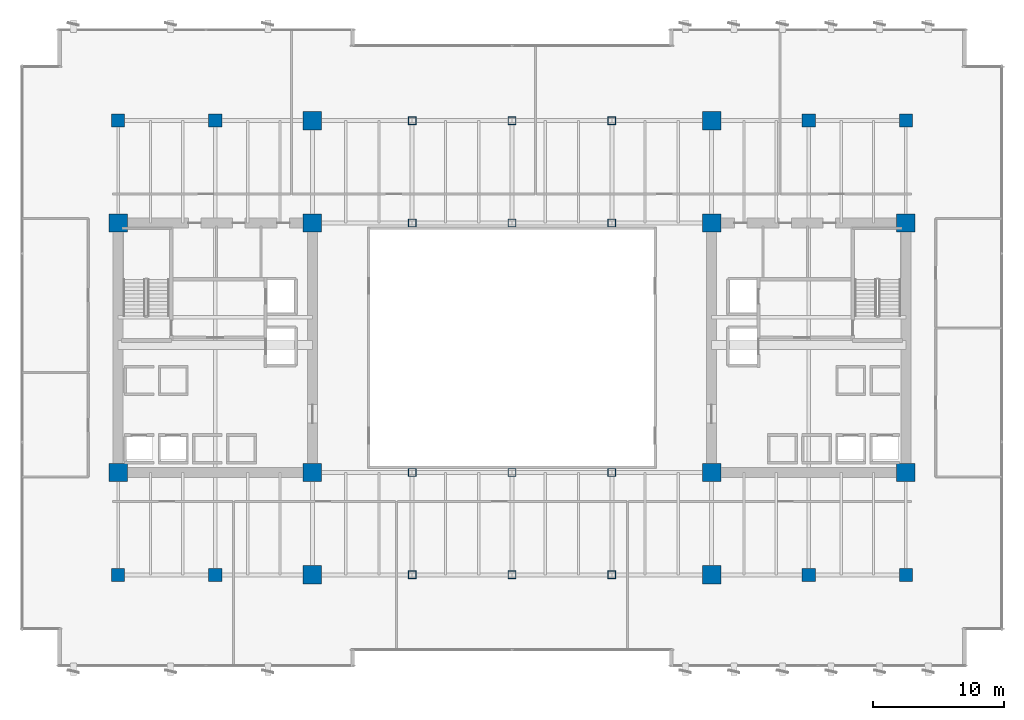
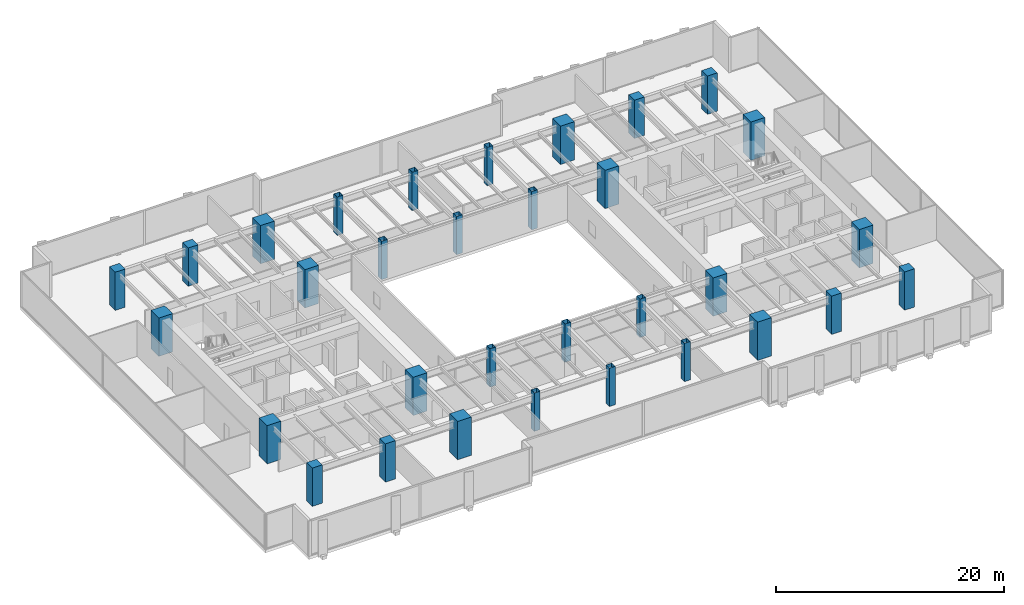
# One storey, part 1 of 36: 32 columns.
"""IFC4 building model written with IfcOpenShell, lengths in metres."""

from ifc_helpers import new_model, si_unit, direction, frame, origin, origin_2d, place, context, subcontext, project, spatial, rectangle, hollow_rectangle, extrude, source, transform, mapped, material, material_profile, profile_set, type_object, type_shapes, element, save


model = new_model("IFC4")

# Units and contexts
model_context = context("Model", 3, precision=1e-05, world=origin(), true_north=direction((0.0, 1.0)))
body_context = subcontext(model_context, "Body", "Model", "MODEL_VIEW")
ifc_project = project(units=[si_unit("LENGTHUNIT", "METRE"), si_unit("AREAUNIT", "SQUARE_METRE"), si_unit("VOLUMEUNIT", "CUBIC_METRE"), si_unit("PLANEANGLEUNIT", "RADIAN"), si_unit("MASSUNIT", "GRAM", prefix="KILO")], contexts=[model_context])

# Site, building, storey
site_placement = place(None, origin())
site = spatial("IfcSite", under=ifc_project, at=site_placement, CompositionType="ELEMENT")
building_placement = place(site_placement, origin())
building = spatial("IfcBuilding", under=site, at=building_placement, Name="Haelvirn Gate Laboratories", CompositionType="ELEMENT")
storey_placement = place(building_placement, frame((0.0, 0.0, 29.300048828125)))
storey = spatial("IfcBuildingStorey", under=building, at=storey_placement, Name="L07", CompositionType="ELEMENT", Elevation=29.300048828125)

# Columns
ifc_material_1 = material(Name="Concrete C60/75", Category="concrete")
ifc_material_profile_1 = material_profile(ifc_material_1, rectangle(XDim=1.0, YDim=1.0, at=origin_2d()), Name="RC-1000x1000")
ifc_profile_set_1 = profile_set([ifc_material_profile_1], Name="Concrete C60/75")
column_type_1 = type_object("IfcColumnType", Name="COL-RC-1000", PredefinedType="COLUMN", material=ifc_profile_set_1)
shared_shape_1 = source(origin(), body_context, "Body", "SweptSolid", [
    extrude(rectangle(XDim=1.0, YDim=1.0, at=origin_2d()), origin(), (0.0, 0.0, 1.0), 4.099853515625),
])
type_shapes(column_type_1, [shared_shape_1])
for number, where, z_axis, x_axis, name in (
    (1, (14.800048828125, 7.0, 0.0), (0.0, 0.0, 1.0), (1.0, 0.0, 0.0), "L07 Column 3B"),
    (2, (14.800048828125, 41.60009765625, 0.0), (0.0, 0.0, 1.0), (1.0, 0.0, 0.0), "L07 Column 3G"),
    (3, (60.0, 7.0, 0.0), (0.0, 0.0, 1.0), (1.0, 0.0, 0.0), "L07 Column 9B"),
    (4, (60.0, 41.60009765625, 0.0), (0.0, 0.0, 1.0), (1.0, 0.0, 0.0), "L07 Column 9G"),
    (5, (7.39990234375, 7.0, 0.0), (0.0, 0.0, 1.0), (1.0, 0.0, 0.0), "L07 Column 2B"),
    (6, (7.39990234375, 41.60009765625, 0.0), (0.0, 0.0, 1.0), (1.0, 0.0, 0.0), "L07 Column 2G"),
    (7, (67.39990234375, 7.0, 0.0), (0.0, 0.0, 1.0), (1.0, 0.0, 0.0), "L07 Column 10B"),
    (8, (67.39990234375, 41.60009765625, 0.0), (0.0, 0.0, 1.0), (1.0, 0.0, 0.0), "L07 Column 10G"),
):
    element("IfcColumn", number, at=place(storey_placement, frame(where, z_axis=z_axis, x_axis=x_axis)), inside=storey, type_object=column_type_1, Name=name, PredefinedType="COLUMN", context=body_context, shape_type="MappedRepresentation", body=[
        mapped(shared_shape_1, transform((0.0, 0.0, 0.0), scale=1.0)),
    ])
ifc_material_2 = material(Name="Concrete C70/85", Category="concrete")
ifc_material_profile_2 = material_profile(ifc_material_2, rectangle(XDim=1.39990234375, YDim=1.39990234375, at=origin_2d()), Name="SRC-1400x1400")
ifc_profile_set_2 = profile_set([ifc_material_profile_2], Name="Concrete C70/85")
column_type_2 = type_object("IfcColumnType", Name="COL-SRC-1400", PredefinedType="COLUMN", material=ifc_profile_set_2)
shared_shape_2 = source(origin(), body_context, "Body", "SweptSolid", [
    extrude(rectangle(XDim=1.39990234375, YDim=1.39990234375, at=origin_2d()), origin(), (0.0, 0.0, 1.0), 4.099853515625),
])
type_shapes(column_type_2, [shared_shape_2])
for number, where, z_axis, x_axis, name in (
    (9, (22.199951171875, 7.0, 0.0), (0.0, 0.0, 1.0), (1.0, 0.0, 0.0), "L07 Column 4B"),
    (10, (7.39990234375, 14.800048828125, 0.0), (0.0, 0.0, 1.0), (1.0, 0.0, 0.0), "L07 Column 2C"),
    (11, (22.199951171875, 14.800048828125, 0.0), (0.0, 0.0, 1.0), (1.0, 0.0, 0.0), "L07 Column 4C"),
    (12, (7.39990234375, 33.800048828125, 0.0), (0.0, 0.0, 1.0), (1.0, 0.0, 0.0), "L07 Column 2F"),
    (13, (22.199951171875, 33.800048828125, 0.0), (0.0, 0.0, 1.0), (1.0, 0.0, 0.0), "L07 Column 4F"),
    (14, (22.199951171875, 41.60009765625, 0.0), (0.0, 0.0, 1.0), (1.0, 0.0, 0.0), "L07 Column 4G"),
    (15, (52.60009765625, 7.0, 0.0), (0.0, 0.0, 1.0), (1.0, 0.0, 0.0), "L07 Column 8B"),
    (16, (52.60009765625, 14.800048828125, 0.0), (0.0, 0.0, 1.0), (1.0, 0.0, 0.0), "L07 Column 8C"),
    (17, (67.39990234375, 14.800048828125, 0.0), (0.0, 0.0, 1.0), (1.0, 0.0, 0.0), "L07 Column 10C"),
    (18, (52.60009765625, 33.800048828125, 0.0), (0.0, 0.0, 1.0), (1.0, 0.0, 0.0), "L07 Column 8F"),
    (19, (67.39990234375, 33.800048828125, 0.0), (0.0, 0.0, 1.0), (1.0, 0.0, 0.0), "L07 Column 10F"),
    (20, (52.60009765625, 41.60009765625, 0.0), (0.0, 0.0, 1.0), (1.0, 0.0, 0.0), "L07 Column 8G"),
):
    element("IfcColumn", number, at=place(storey_placement, frame(where, z_axis=z_axis, x_axis=x_axis)), inside=storey, type_object=column_type_2, Name=name, PredefinedType="COLUMN", context=body_context, shape_type="MappedRepresentation", body=[
        mapped(shared_shape_2, transform((0.0, 0.0, 0.0), scale=1.0)),
    ])
ifc_material_3 = material(Name="Steel SM420", Category="steel")
ifc_material_profile_3 = material_profile(ifc_material_3, hollow_rectangle(XDim=0.60009765625, YDim=0.60009765625, WallThickness=0.028076171875, at=origin_2d()), Name="BOX-600x600x28")
ifc_profile_set_3 = profile_set([ifc_material_profile_3], Name="Steel SM420")
column_type_3 = type_object("IfcColumnType", Name="COL-BOX-600", PredefinedType="COLUMN", material=ifc_profile_set_3)
shared_shape_3 = source(origin(), body_context, "Body", "SweptSolid", [
    extrude(hollow_rectangle(XDim=0.60009765625, YDim=0.60009765625, WallThickness=0.028076171875, at=origin_2d()), origin(), (0.0, 0.0, 1.0), 4.099853515625),
])
type_shapes(column_type_3, [shared_shape_3])
for number, where, z_axis, x_axis, name in (
    (21, (29.800048828125, 7.0, 0.0), (0.0, 0.0, 1.0), (1.0, 0.0, 0.0), "L07 Column 5B"),
    (22, (29.800048828125, 14.800048828125, 0.0), (0.0, 0.0, 1.0), (1.0, 0.0, 0.0), "L07 Column 5C"),
    (23, (29.800048828125, 33.800048828125, 0.0), (0.0, 0.0, 1.0), (1.0, 0.0, 0.0), "L07 Column 5F"),
    (24, (29.800048828125, 41.60009765625, 0.0), (0.0, 0.0, 1.0), (1.0, 0.0, 0.0), "L07 Column 5G"),
    (25, (37.39990234375, 7.0, 0.0), (0.0, 0.0, 1.0), (1.0, 0.0, 0.0), "L07 Column 6B"),
    (26, (37.39990234375, 14.800048828125, 0.0), (0.0, 0.0, 1.0), (1.0, 0.0, 0.0), "L07 Column 6C"),
    (27, (37.39990234375, 33.800048828125, 0.0), (0.0, 0.0, 1.0), (1.0, 0.0, 0.0), "L07 Column 6F"),
    (28, (37.39990234375, 41.60009765625, 0.0), (0.0, 0.0, 1.0), (1.0, 0.0, 0.0), "L07 Column 6G"),
    (29, (45.0, 7.0, 0.0), (0.0, 0.0, 1.0), (1.0, 0.0, 0.0), "L07 Column 7B"),
    (30, (45.0, 14.800048828125, 0.0), (0.0, 0.0, 1.0), (1.0, 0.0, 0.0), "L07 Column 7C"),
    (31, (45.0, 33.800048828125, 0.0), (0.0, 0.0, 1.0), (1.0, 0.0, 0.0), "L07 Column 7F"),
    (32, (45.0, 41.60009765625, 0.0), (0.0, 0.0, 1.0), (1.0, 0.0, 0.0), "L07 Column 7G"),
):
    element("IfcColumn", number, at=place(storey_placement, frame(where, z_axis=z_axis, x_axis=x_axis)), inside=storey, type_object=column_type_3, Name=name, PredefinedType="COLUMN", context=body_context, shape_type="MappedRepresentation", body=[
        mapped(shared_shape_3, transform((0.0, 0.0, 0.0), scale=1.0)),
    ])

save(model, "model.ifc")
